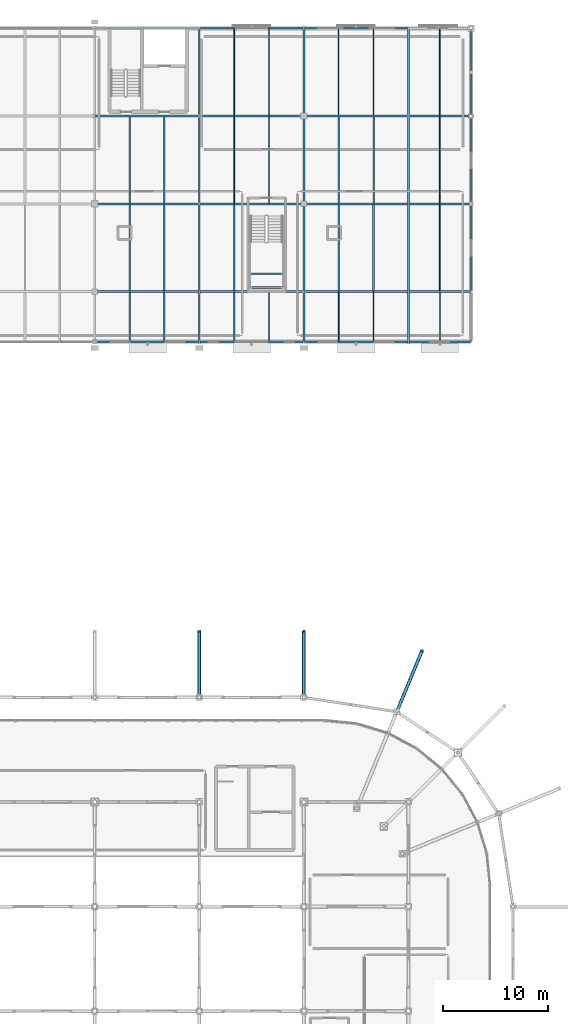
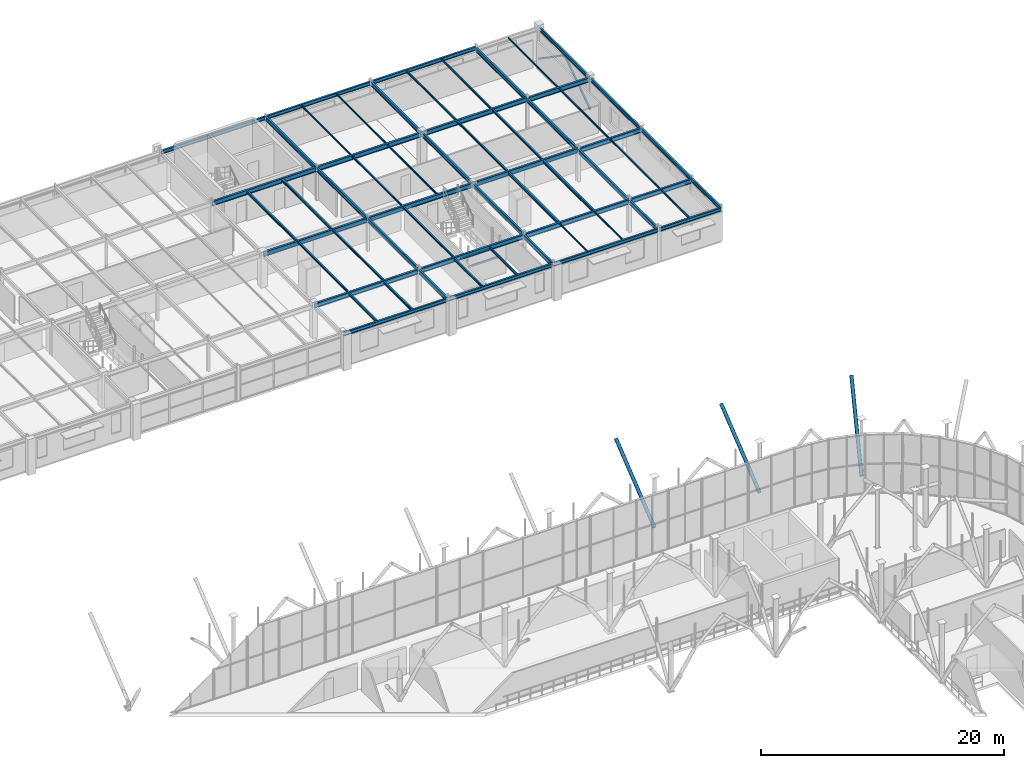
# One storey, part 84 of 109: 62 beams, 5 members.
"""IFC4 building model written with IfcOpenShell, lengths in metres."""

from ifc_helpers import new_model, si_unit, derived_unit, direction, frame, origin, origin_2d_with_axis, place, context, subcontext, project, spatial, hollow_rectangle, hollow_circle, i_section, extrude, material, material_profile, profile_set, type_object, element, save


model = new_model("IFC4")

# Units and contexts
model_context = context("Model", 3, precision=1e-05, world=origin(), true_north=direction((0.0, 1.0)))
body_context = subcontext(model_context, "Body", "Model", "MODEL_VIEW")
ifc_project = project(units=[si_unit("LENGTHUNIT", "METRE"), si_unit("AREAUNIT", "SQUARE_METRE"), si_unit("VOLUMEUNIT", "CUBIC_METRE"), si_unit("PLANEANGLEUNIT", "RADIAN"), si_unit("MASSUNIT", "GRAM", prefix="KILO"), derived_unit("THERMALTRANSMITTANCEUNIT", [(si_unit("POWERUNIT", "WATT"), 1), (si_unit("LENGTHUNIT", "METRE"), -2), (si_unit("THERMODYNAMICTEMPERATUREUNIT", "KELVIN"), -1)])], contexts=[model_context])

# Site, building, storey
site_placement = place(None, origin())
site = spatial("IfcSite", under=ifc_project, at=site_placement, CompositionType="ELEMENT")
building_placement = place(site_placement, origin())
building = spatial("IfcBuilding", under=site, at=building_placement, Name="Cinnabar Yard Market Hall", CompositionType="ELEMENT")
storey_placement = place(building_placement, frame((0.0, 0.0, 8.39990234375)))
storey = spatial("IfcBuildingStorey", under=building, at=storey_placement, Name="L02", CompositionType="ELEMENT", Elevation=8.39990234375)

# Beams
ifc_material_1 = material(Name="Steel Grade 300 (300 MPa)", Category="steel")
ifc_material_profile_1 = material_profile(ifc_material_1, i_section(OverallWidth=0.18994140625, OverallDepth=0.453857421875, WebThickness=0.008544921875, FlangeThickness=0.0126953125, FilletRadius=0.011474609375, at=origin_2d_with_axis()), Name="460UB67.1")
ifc_profile_set_1 = profile_set([ifc_material_profile_1], Name="Steel Grade 300 (300 MPa)")
beam_type_1 = type_object("IfcBeamType", Name="BM-B05", PredefinedType="BEAM", material=ifc_profile_set_1)
for number, where, z_axis, x_axis, name in (
    (1, (126.06005859375, 112.800048828125, 3.05322265625), (1.0, 0.0, 0.0), (0.0, 1.0, 0.0), "V3 L02 Girder X 01218"),
    (2, (126.06005859375, 121.199951171875, 3.13330078125), (1.0, 0.0, 0.0), (0.0, 1.0, 0.0), "V3 L02 Girder X 01219"),
    (3, (126.06005859375, 129.60009765625, 3.13330078125), (1.0, 0.0, 0.0), (0.0, 1.0, 0.0), "V3 L02 Girder X 01220"),
    (4, (136.06005859375, 112.800048828125, 3.05322265625), (1.0, 0.0, 0.0), (0.0, 1.0, 0.0), "V3 L02 Girder X 01223"),
    (5, (136.06005859375, 121.199951171875, 3.13330078125), (1.0, 0.0, 0.0), (0.0, 1.0, 0.0), "V3 L02 Girder X 01224"),
    (6, (136.06005859375, 129.60009765625, 3.13330078125), (1.0, 0.0, 0.0), (0.0, 1.0, 0.0), "V3 L02 Girder X 01225"),
    (7, (146.06005859375, 112.800048828125, 3.05322265625), (1.0, 0.0, 0.0), (0.0, 1.0, 0.0), "V3 L02 Girder X 01228"),
    (8, (146.06005859375, 121.199951171875, 3.13330078125), (1.0, 0.0, 0.0), (0.0, 1.0, 0.0), "V3 L02 Girder X 01229"),
    (9, (146.06005859375, 129.60009765625, 3.13330078125), (1.0, 0.0, 0.0), (0.0, 1.0, 0.0), "V3 L02 Girder X 01230"),
):
    element("IfcBeam", number, at=place(storey_placement, frame(where, z_axis=z_axis, x_axis=x_axis)), inside=storey, type_object=beam_type_1, Name=name, PredefinedType="BEAM", context=body_context, shape_type="SweptSolid", body=[
        extrude(i_section(OverallWidth=0.18994140625, OverallDepth=0.453857421875, WebThickness=0.008544921875, FlangeThickness=0.0126953125, FilletRadius=0.011474609375, at=origin_2d_with_axis()), origin(), (0.0, 0.0, 1.0), 9.8798828125),
    ])
for number, where, z_axis, x_axis, name in (
    (10, (156.06005859375, 112.800048828125, 3.05322265625), (1.0, 0.0, 0.0), (0.0, 1.0, 0.0), "V3 L02 Girder X 01233"),
    (11, (156.06005859375, 121.199951171875, 3.05322265625), (1.0, 0.0, 0.0), (0.0, 1.0, 0.0), "V3 L02 Girder X 01234"),
    (12, (156.06005859375, 129.60009765625, 3.05322265625), (1.0, 0.0, 0.0), (0.0, 1.0, 0.0), "V3 L02 Girder X 01235"),
):
    element("IfcBeam", number, at=place(storey_placement, frame(where, z_axis=z_axis, x_axis=x_axis)), inside=storey, type_object=beam_type_1, Name=name, PredefinedType="BEAM", context=body_context, shape_type="SweptSolid", body=[
        extrude(i_section(OverallWidth=0.18994140625, OverallDepth=0.453857421875, WebThickness=0.008544921875, FlangeThickness=0.0126953125, FilletRadius=0.011474609375, at=origin_2d_with_axis()), origin(), (0.0, 0.0, 1.0), 5.8798828125),
    ])
ifc_material_profile_2 = material_profile(ifc_material_1, i_section(OverallWidth=0.177978515625, OverallDepth=0.406494140625, WebThickness=0.0078125, FlangeThickness=0.0126953125, FilletRadius=0.011474609375, at=origin_2d_with_axis()), Name="410UB59.7")
ifc_profile_set_2 = profile_set([ifc_material_profile_2], Name="Steel Grade 300 (300 MPa)")
beam_type_2 = type_object("IfcBeamType", Name="BM-B06", PredefinedType="BEAM", material=ifc_profile_set_2)
beam_1_placement = place(storey_placement, frame((136.0, 108.06005859375, 3.076904296875), z_axis=(0.0, 1.0, 0.0), x_axis=(-1.0, 0.0, 0.0)))
element("IfcBeam", 13, at=beam_1_placement, inside=storey, type_object=beam_type_2, Name="V3 L02 Girder Y 01265", PredefinedType="BEAM", context=body_context, shape_type="SweptSolid", body=[
    extrude(i_section(OverallWidth=0.177978515625, OverallDepth=0.406494140625, WebThickness=0.0078125, FlangeThickness=0.0126953125, FilletRadius=0.011474609375, at=origin_2d_with_axis()), origin(), (0.0, 0.0, 1.0), 4.679931640625),
])
beam_2_placement = place(storey_placement, frame((136.0, 112.860107421875, 3.156982421875), z_axis=(0.0, 1.0, 0.0), x_axis=(-1.0, 0.0, 0.0)))
element("IfcBeam", 14, at=beam_2_placement, inside=storey, type_object=beam_type_2, Name="V3 L02 Girder Y 01266", PredefinedType="BEAM", context=body_context, shape_type="SweptSolid", body=[
    extrude(i_section(OverallWidth=0.177978515625, OverallDepth=0.406494140625, WebThickness=0.0078125, FlangeThickness=0.0126953125, FilletRadius=0.011474609375, at=origin_2d_with_axis()), origin(), (0.0, 0.0, 1.0), 8.27978515625),
])
for number, where, z_axis, x_axis, name in (
    (15, (136.0, 121.260009765625, 3.156982421875), (0.0, 1.0, 0.0), (-1.0, 0.0, 0.0), "V3 L02 Girder Y 01267"),
    (16, (136.0, 129.659912109375, 3.156982421875), (0.0, 1.0, 0.0), (-1.0, 0.0, 0.0), "V3 L02 Girder Y 01268"),
):
    element("IfcBeam", number, at=place(storey_placement, frame(where, z_axis=z_axis, x_axis=x_axis)), inside=storey, type_object=beam_type_2, Name=name, PredefinedType="BEAM", context=body_context, shape_type="SweptSolid", body=[
        extrude(i_section(OverallWidth=0.177978515625, OverallDepth=0.406494140625, WebThickness=0.0078125, FlangeThickness=0.0126953125, FilletRadius=0.011474609375, at=origin_2d_with_axis()), origin(), (0.0, 0.0, 1.0), 8.280029296875),
    ])
beam_3_placement = place(storey_placement, frame((146.0, 108.06005859375, 3.076904296875), z_axis=(0.0, 1.0, 0.0), x_axis=(-1.0, 0.0, 0.0)))
element("IfcBeam", 17, at=beam_3_placement, inside=storey, type_object=beam_type_2, Name="V3 L02 Girder Y 01269", PredefinedType="BEAM", context=body_context, shape_type="SweptSolid", body=[
    extrude(i_section(OverallWidth=0.177978515625, OverallDepth=0.406494140625, WebThickness=0.0078125, FlangeThickness=0.0126953125, FilletRadius=0.011474609375, at=origin_2d_with_axis()), origin(), (0.0, 0.0, 1.0), 4.679931640625),
])
beam_4_placement = place(storey_placement, frame((146.0, 112.860107421875, 3.156982421875), z_axis=(0.0, 1.0, 0.0), x_axis=(-1.0, 0.0, 0.0)))
element("IfcBeam", 18, at=beam_4_placement, inside=storey, type_object=beam_type_2, Name="V3 L02 Girder Y 01270", PredefinedType="BEAM", context=body_context, shape_type="SweptSolid", body=[
    extrude(i_section(OverallWidth=0.177978515625, OverallDepth=0.406494140625, WebThickness=0.0078125, FlangeThickness=0.0126953125, FilletRadius=0.011474609375, at=origin_2d_with_axis()), origin(), (0.0, 0.0, 1.0), 8.27978515625),
])
for number, where, z_axis, x_axis, name in (
    (19, (146.0, 121.260009765625, 3.156982421875), (0.0, 1.0, 0.0), (-1.0, 0.0, 0.0), "V3 L02 Girder Y 01271"),
    (20, (146.0, 129.659912109375, 3.156982421875), (0.0, 1.0, 0.0), (-1.0, 0.0, 0.0), "V3 L02 Girder Y 01272"),
):
    element("IfcBeam", number, at=place(storey_placement, frame(where, z_axis=z_axis, x_axis=x_axis)), inside=storey, type_object=beam_type_2, Name=name, PredefinedType="BEAM", context=body_context, shape_type="SweptSolid", body=[
        extrude(i_section(OverallWidth=0.177978515625, OverallDepth=0.406494140625, WebThickness=0.0078125, FlangeThickness=0.0126953125, FilletRadius=0.011474609375, at=origin_2d_with_axis()), origin(), (0.0, 0.0, 1.0), 8.280029296875),
    ])
beam_5_placement = place(storey_placement, frame((156.0, 108.06005859375, 3.076904296875), z_axis=(0.0, 1.0, 0.0), x_axis=(-1.0, 0.0, 0.0)))
element("IfcBeam", 21, at=beam_5_placement, inside=storey, type_object=beam_type_2, Name="V3 L02 Girder Y 01273", PredefinedType="BEAM", context=body_context, shape_type="SweptSolid", body=[
    extrude(i_section(OverallWidth=0.177978515625, OverallDepth=0.406494140625, WebThickness=0.0078125, FlangeThickness=0.0126953125, FilletRadius=0.011474609375, at=origin_2d_with_axis()), origin(), (0.0, 0.0, 1.0), 4.679931640625),
])
beam_6_placement = place(storey_placement, frame((156.0, 112.860107421875, 3.076904296875), z_axis=(0.0, 1.0, 0.0), x_axis=(-1.0, 0.0, 0.0)))
element("IfcBeam", 22, at=beam_6_placement, inside=storey, type_object=beam_type_2, Name="V3 L02 Girder Y 01274", PredefinedType="BEAM", context=body_context, shape_type="SweptSolid", body=[
    extrude(i_section(OverallWidth=0.177978515625, OverallDepth=0.406494140625, WebThickness=0.0078125, FlangeThickness=0.0126953125, FilletRadius=0.011474609375, at=origin_2d_with_axis()), origin(), (0.0, 0.0, 1.0), 8.27978515625),
])
for number, where, z_axis, x_axis, name in (
    (23, (156.0, 121.260009765625, 3.076904296875), (0.0, 1.0, 0.0), (-1.0, 0.0, 0.0), "V3 L02 Girder Y 01275"),
    (24, (156.0, 129.659912109375, 3.076904296875), (0.0, 1.0, 0.0), (-1.0, 0.0, 0.0), "V3 L02 Girder Y 01276"),
):
    element("IfcBeam", number, at=place(storey_placement, frame(where, z_axis=z_axis, x_axis=x_axis)), inside=storey, type_object=beam_type_2, Name=name, PredefinedType="BEAM", context=body_context, shape_type="SweptSolid", body=[
        extrude(i_section(OverallWidth=0.177978515625, OverallDepth=0.406494140625, WebThickness=0.0078125, FlangeThickness=0.0126953125, FilletRadius=0.011474609375, at=origin_2d_with_axis()), origin(), (0.0, 0.0, 1.0), 8.280029296875),
    ])
ifc_material_profile_3 = material_profile(ifc_material_1, i_section(OverallWidth=0.14599609375, OverallDepth=0.256103515625, WebThickness=0.00634765625, FlangeThickness=0.010986328125, FilletRadius=0.0087890625, at=origin_2d_with_axis()), Name="250UB37.3")
ifc_profile_set_3 = profile_set([ifc_material_profile_3], Name="Steel Grade 300 (300 MPa)")
beam_type_3 = type_object("IfcBeamType", Name="BM-J03", PredefinedType="JOIST", material=ifc_profile_set_3)
for number, where, z_axis, x_axis, name in (
    (25, (129.333251953125, 108.074951171875, 3.152099609375), (0.0, 1.0, 0.0), (-1.0, 0.0, 0.0), "V3 L02 Joist 01326"),
    (26, (132.666748046875, 108.074951171875, 3.152099609375), (0.0, 1.0, 0.0), (-1.0, 0.0, 0.0), "V3 L02 Joist 01329"),
):
    element("IfcBeam", number, at=place(storey_placement, frame(where, z_axis=z_axis, x_axis=x_axis)), inside=storey, type_object=beam_type_3, Name=name, PredefinedType="JOIST", context=body_context, shape_type="SweptSolid", body=[
        extrude(i_section(OverallWidth=0.14599609375, OverallDepth=0.256103515625, WebThickness=0.00634765625, FlangeThickness=0.010986328125, FilletRadius=0.0087890625, at=origin_2d_with_axis()), origin(), (0.0, 0.0, 1.0), 4.650146484375),
    ])
ifc_material_profile_4 = material_profile(ifc_material_1, i_section(OverallWidth=0.134033203125, OverallDepth=0.20703125, WebThickness=0.00634765625, FlangeThickness=0.009521484375, FilletRadius=0.0087890625, at=origin_2d_with_axis()), Name="200UB29.8")
ifc_profile_set_4 = profile_set([ifc_material_profile_4], Name="Steel Grade 300 (300 MPa)")
beam_type_4 = type_object("IfcBeamType", Name="BM-J04", PredefinedType="JOIST", material=ifc_profile_set_4)
for number, where, z_axis, x_axis, name in (
    (27, (129.333251953125, 112.875, 3.256591796875), (0.0, 1.0, 0.0), (-1.0, 0.0, 0.0), "V3 L02 Joist 01327"),
    (28, (132.666748046875, 112.875, 3.256591796875), (0.0, 1.0, 0.0), (-1.0, 0.0, 0.0), "V3 L02 Joist 01330"),
):
    element("IfcBeam", number, at=place(storey_placement, frame(where, z_axis=z_axis, x_axis=x_axis)), inside=storey, type_object=beam_type_4, Name=name, PredefinedType="JOIST", context=body_context, shape_type="SweptSolid", body=[
        extrude(i_section(OverallWidth=0.134033203125, OverallDepth=0.20703125, WebThickness=0.00634765625, FlangeThickness=0.009521484375, FilletRadius=0.0087890625, at=origin_2d_with_axis()), origin(), (0.0, 0.0, 1.0), 8.25),
    ])
ifc_material_profile_5 = material_profile(ifc_material_1, i_section(OverallWidth=0.14599609375, OverallDepth=0.251708984375, WebThickness=0.006103515625, FlangeThickness=0.008544921875, FilletRadius=0.0087890625, at=origin_2d_with_axis()), Name="250UB31.4")
ifc_profile_set_5 = profile_set([ifc_material_profile_5], Name="Steel Grade 300 (300 MPa)")
beam_type_5 = type_object("IfcBeamType", Name="BM-J05", PredefinedType="JOIST", material=ifc_profile_set_5)
for number, where, z_axis, x_axis, name in (
    (29, (129.333251953125, 121.27490234375, 3.234375), (0.0, 1.0, 0.0), (-1.0, 0.0, 0.0), "V3 L02 Joist 01328"),
    (30, (132.666748046875, 121.27490234375, 3.234375), (0.0, 1.0, 0.0), (-1.0, 0.0, 0.0), "V3 L02 Joist 01331"),
):
    element("IfcBeam", number, at=place(storey_placement, frame(where, z_axis=z_axis, x_axis=x_axis)), inside=storey, type_object=beam_type_5, Name=name, PredefinedType="JOIST", context=body_context, shape_type="SweptSolid", body=[
        extrude(i_section(OverallWidth=0.14599609375, OverallDepth=0.251708984375, WebThickness=0.006103515625, FlangeThickness=0.008544921875, FilletRadius=0.0087890625, at=origin_2d_with_axis()), origin(), (0.0, 0.0, 1.0), 8.25),
    ])
ifc_material_profile_6 = material_profile(ifc_material_1, i_section(OverallWidth=0.1240234375, OverallDepth=0.248291015625, WebThickness=0.0048828125, FlangeThickness=0.008056640625, FilletRadius=0.0087890625, at=origin_2d_with_axis()), Name="250UB25.7")
ifc_profile_set_6 = profile_set([ifc_material_profile_6], Name="Steel Grade 300 (300 MPa)")
beam_type_6 = type_object("IfcBeamType", Name="BM-J06", PredefinedType="JOIST", material=ifc_profile_set_6)
for number, where, z_axis, x_axis, name in (
    (31, (139.333251953125, 108.074951171875, 3.156005859375), (0.0, 1.0, 0.0), (-1.0, 0.0, 0.0), "V3 L02 Joist 01332"),
    (32, (142.666748046875, 108.074951171875, 3.156005859375), (0.0, 1.0, 0.0), (-1.0, 0.0, 0.0), "V3 L02 Joist 01336"),
):
    element("IfcBeam", number, at=place(storey_placement, frame(where, z_axis=z_axis, x_axis=x_axis)), inside=storey, type_object=beam_type_6, Name=name, PredefinedType="JOIST", context=body_context, shape_type="SweptSolid", body=[
        extrude(i_section(OverallWidth=0.1240234375, OverallDepth=0.248291015625, WebThickness=0.0048828125, FlangeThickness=0.008056640625, FilletRadius=0.0087890625, at=origin_2d_with_axis()), origin(), (0.0, 0.0, 1.0), 4.650146484375),
    ])
ifc_material_profile_7 = material_profile(ifc_material_1, i_section(OverallWidth=0.133056640625, OverallDepth=0.203125, WebThickness=0.005859375, FlangeThickness=0.0078125, FilletRadius=0.0087890625, at=origin_2d_with_axis()), Name="200UB25.4")
ifc_profile_set_7 = profile_set([ifc_material_profile_7], Name="Steel Grade 300 (300 MPa)")
beam_type_7 = type_object("IfcBeamType", Name="BM-J07", PredefinedType="JOIST", material=ifc_profile_set_7)
beam_7_placement = place(storey_placement, frame((139.333251953125, 112.875, 3.258544921875), z_axis=(0.0, 1.0, 0.0), x_axis=(-1.0, 0.0, 0.0)))
element("IfcBeam", 33, at=beam_7_placement, inside=storey, type_object=beam_type_7, Name="V3 L02 Joist 01333", PredefinedType="JOIST", context=body_context, shape_type="SweptSolid", body=[
    extrude(i_section(OverallWidth=0.133056640625, OverallDepth=0.203125, WebThickness=0.005859375, FlangeThickness=0.0078125, FilletRadius=0.0087890625, at=origin_2d_with_axis()), origin(), (0.0, 0.0, 1.0), 8.25),
])
ifc_material_profile_8 = material_profile(ifc_material_1, i_section(OverallWidth=0.090087890625, OverallDepth=0.178955078125, WebThickness=0.006103515625, FlangeThickness=0.009521484375, FilletRadius=0.0087890625, at=origin_2d_with_axis()), Name="180UB22.2")
ifc_profile_set_8 = profile_set([ifc_material_profile_8], Name="Steel Grade 300 (300 MPa)")
beam_type_8 = type_object("IfcBeamType", Name="BM-J08", PredefinedType="JOIST", material=ifc_profile_set_8)
for number, where, z_axis, x_axis, name in (
    (34, (139.333251953125, 121.27490234375, 3.2705078125), (0.0, 1.0, 0.0), (-1.0, 0.0, 0.0), "V3 L02 Joist 01334"),
    (35, (142.666748046875, 121.27490234375, 3.2705078125), (0.0, 1.0, 0.0), (-1.0, 0.0, 0.0), "V3 L02 Joist 01337"),
):
    element("IfcBeam", number, at=place(storey_placement, frame(where, z_axis=z_axis, x_axis=x_axis)), inside=storey, type_object=beam_type_8, Name=name, PredefinedType="JOIST", context=body_context, shape_type="SweptSolid", body=[
        extrude(i_section(OverallWidth=0.090087890625, OverallDepth=0.178955078125, WebThickness=0.006103515625, FlangeThickness=0.009521484375, FilletRadius=0.0087890625, at=origin_2d_with_axis()), origin(), (0.0, 0.0, 1.0), 8.25),
    ])
ifc_material_profile_9 = material_profile(ifc_material_1, i_section(OverallWidth=0.074951171875, OverallDepth=0.155029296875, WebThickness=0.006103515625, FlangeThickness=0.009521484375, FilletRadius=0.008056640625, at=origin_2d_with_axis()), Name="150UB18.0")
ifc_profile_set_9 = profile_set([ifc_material_profile_9], Name="Steel Grade 300 (300 MPa)")
beam_type_9 = type_object("IfcBeamType", Name="BM-J09", PredefinedType="JOIST", material=ifc_profile_set_9)
for number, where, z_axis, x_axis, name in (
    (36, (139.333251953125, 129.675048828125, 3.28271484375), (0.0, 1.0, 0.0), (-1.0, 0.0, 0.0), "V3 L02 Joist 01335"),
    (37, (142.666748046875, 129.675048828125, 3.28271484375), (0.0, 1.0, 0.0), (-1.0, 0.0, 0.0), "V3 L02 Joist 01338"),
):
    element("IfcBeam", number, at=place(storey_placement, frame(where, z_axis=z_axis, x_axis=x_axis)), inside=storey, type_object=beam_type_9, Name=name, PredefinedType="JOIST", context=body_context, shape_type="SweptSolid", body=[
        extrude(i_section(OverallWidth=0.074951171875, OverallDepth=0.155029296875, WebThickness=0.006103515625, FlangeThickness=0.009521484375, FilletRadius=0.008056640625, at=origin_2d_with_axis()), origin(), (0.0, 0.0, 1.0), 8.25),
    ])
for number, where, z_axis, x_axis, name in (
    (38, (149.333251953125, 108.074951171875, 3.20263671875), (0.0, 1.0, 0.0), (-1.0, 0.0, 0.0), "V3 L02 Joist 01339"),
    (39, (152.666748046875, 108.074951171875, 3.20263671875), (0.0, 1.0, 0.0), (-1.0, 0.0, 0.0), "V3 L02 Joist 01343"),
):
    element("IfcBeam", number, at=place(storey_placement, frame(where, z_axis=z_axis, x_axis=x_axis)), inside=storey, type_object=beam_type_9, Name=name, PredefinedType="JOIST", context=body_context, shape_type="SweptSolid", body=[
        extrude(i_section(OverallWidth=0.074951171875, OverallDepth=0.155029296875, WebThickness=0.006103515625, FlangeThickness=0.009521484375, FilletRadius=0.008056640625, at=origin_2d_with_axis()), origin(), (0.0, 0.0, 1.0), 4.650146484375),
    ])
ifc_material_profile_10 = material_profile(ifc_material_1, i_section(OverallWidth=0.1650390625, OverallDepth=0.303955078125, WebThickness=0.006103515625, FlangeThickness=0.01025390625, FilletRadius=0.011474609375, at=origin_2d_with_axis()), Name="310UB40.4")
ifc_profile_set_10 = profile_set([ifc_material_profile_10], Name="Steel Grade 300 (300 MPa)")
beam_type_10 = type_object("IfcBeamType", Name="BM-J10", PredefinedType="JOIST", material=ifc_profile_set_10)
for number, where, z_axis, x_axis, name in (
    (40, (149.333251953125, 112.875, 3.2080078125), (0.0, 1.0, 0.0), (-1.0, 0.0, 0.0), "V3 L02 Joist 01340"),
    (41, (152.666748046875, 112.875, 3.2080078125), (0.0, 1.0, 0.0), (-1.0, 0.0, 0.0), "V3 L02 Joist 01344"),
):
    element("IfcBeam", number, at=place(storey_placement, frame(where, z_axis=z_axis, x_axis=x_axis)), inside=storey, type_object=beam_type_10, Name=name, PredefinedType="JOIST", context=body_context, shape_type="SweptSolid", body=[
        extrude(i_section(OverallWidth=0.1650390625, OverallDepth=0.303955078125, WebThickness=0.006103515625, FlangeThickness=0.01025390625, FilletRadius=0.011474609375, at=origin_2d_with_axis()), origin(), (0.0, 0.0, 1.0), 8.25),
    ])
ifc_material_profile_11 = material_profile(ifc_material_1, i_section(OverallWidth=0.133056640625, OverallDepth=0.20166015625, WebThickness=0.0048828125, FlangeThickness=0.0078125, FilletRadius=0.0087890625, at=origin_2d_with_axis()), Name="200UB22.3")
ifc_profile_set_11 = profile_set([ifc_material_profile_11], Name="Steel Grade 300 (300 MPa)")
beam_type_11 = type_object("IfcBeamType", Name="BM-J11", PredefinedType="JOIST", material=ifc_profile_set_11)
for number, where, z_axis, x_axis, name in (
    (42, (149.333251953125, 121.27490234375, 3.25927734375), (0.0, 1.0, 0.0), (-1.0, 0.0, 0.0), "V3 L02 Joist 01341"),
    (43, (152.666748046875, 121.27490234375, 3.25927734375), (0.0, 1.0, 0.0), (-1.0, 0.0, 0.0), "V3 L02 Joist 01345"),
):
    element("IfcBeam", number, at=place(storey_placement, frame(where, z_axis=z_axis, x_axis=x_axis)), inside=storey, type_object=beam_type_11, Name=name, PredefinedType="JOIST", context=body_context, shape_type="SweptSolid", body=[
        extrude(i_section(OverallWidth=0.133056640625, OverallDepth=0.20166015625, WebThickness=0.0048828125, FlangeThickness=0.0078125, FilletRadius=0.0087890625, at=origin_2d_with_axis()), origin(), (0.0, 0.0, 1.0), 8.25),
    ])
ifc_material_profile_12 = material_profile(ifc_material_1, i_section(OverallWidth=0.09912109375, OverallDepth=0.197998046875, WebThickness=0.00439453125, FlangeThickness=0.007080078125, FilletRadius=0.0087890625, at=origin_2d_with_axis()), Name="200UB18.2")
ifc_profile_set_12 = profile_set([ifc_material_profile_12], Name="Steel Grade 300 (300 MPa)")
beam_type_12 = type_object("IfcBeamType", Name="BM-J12", PredefinedType="JOIST", material=ifc_profile_set_12)
for number, where, z_axis, x_axis, name in (
    (44, (149.333251953125, 129.675048828125, 3.260986328125), (0.0, 1.0, 0.0), (-1.0, 0.0, 0.0), "V3 L02 Joist 01342"),
    (45, (152.666748046875, 129.675048828125, 3.260986328125), (0.0, 1.0, 0.0), (-1.0, 0.0, 0.0), "V3 L02 Joist 01346"),
):
    element("IfcBeam", number, at=place(storey_placement, frame(where, z_axis=z_axis, x_axis=x_axis)), inside=storey, type_object=beam_type_12, Name=name, PredefinedType="JOIST", context=body_context, shape_type="SweptSolid", body=[
        extrude(i_section(OverallWidth=0.09912109375, OverallDepth=0.197998046875, WebThickness=0.00439453125, FlangeThickness=0.007080078125, FilletRadius=0.0087890625, at=origin_2d_with_axis()), origin(), (0.0, 0.0, 1.0), 8.25),
    ])
beam_8_placement = place(storey_placement, frame((159.0, 108.074951171875, 3.18115234375), z_axis=(0.0, 1.0, 0.0), x_axis=(-1.0, 0.0, 0.0)))
element("IfcBeam", 46, at=beam_8_placement, inside=storey, type_object=beam_type_12, Name="V3 L02 Joist 01347", PredefinedType="JOIST", context=body_context, shape_type="SweptSolid", body=[
    extrude(i_section(OverallWidth=0.09912109375, OverallDepth=0.197998046875, WebThickness=0.00439453125, FlangeThickness=0.007080078125, FilletRadius=0.0087890625, at=origin_2d_with_axis()), origin(), (0.0, 0.0, 1.0), 4.650146484375),
])
ifc_material_profile_13 = material_profile(ifc_material_1, i_section(OverallWidth=0.090087890625, OverallDepth=0.175048828125, WebThickness=0.0048828125, FlangeThickness=0.008056640625, FilletRadius=0.0087890625, at=origin_2d_with_axis()), Name="180UB18.1")
ifc_profile_set_13 = profile_set([ifc_material_profile_13], Name="Steel Grade 300 (300 MPa)")
beam_type_13 = type_object("IfcBeamType", Name="BM-J13", PredefinedType="JOIST", material=ifc_profile_set_13)
beam_9_placement = place(storey_placement, frame((159.0, 112.875, 3.192626953125), z_axis=(0.0, 1.0, 0.0), x_axis=(-1.0, 0.0, 0.0)))
element("IfcBeam", 47, at=beam_9_placement, inside=storey, type_object=beam_type_13, Name="V3 L02 Joist 01348", PredefinedType="JOIST", context=body_context, shape_type="SweptSolid", body=[
    extrude(i_section(OverallWidth=0.090087890625, OverallDepth=0.175048828125, WebThickness=0.0048828125, FlangeThickness=0.008056640625, FilletRadius=0.0087890625, at=origin_2d_with_axis()), origin(), (0.0, 0.0, 1.0), 8.25),
])
ifc_material_profile_14 = material_profile(ifc_material_1, i_section(OverallWidth=0.090087890625, OverallDepth=0.173095703125, WebThickness=0.00439453125, FlangeThickness=0.007080078125, FilletRadius=0.0087890625, at=origin_2d_with_axis()), Name="180UB16.1")
ifc_profile_set_14 = profile_set([ifc_material_profile_14], Name="Steel Grade 300 (300 MPa)")
beam_type_14 = type_object("IfcBeamType", Name="BM-J14", PredefinedType="JOIST", material=ifc_profile_set_14)
beam_10_placement = place(storey_placement, frame((159.0, 121.27490234375, 3.193603515625), z_axis=(0.0, 1.0, 0.0), x_axis=(-1.0, 0.0, 0.0)))
element("IfcBeam", 48, at=beam_10_placement, inside=storey, type_object=beam_type_14, Name="V3 L02 Joist 01349", PredefinedType="JOIST", context=body_context, shape_type="SweptSolid", body=[
    extrude(i_section(OverallWidth=0.090087890625, OverallDepth=0.173095703125, WebThickness=0.00439453125, FlangeThickness=0.007080078125, FilletRadius=0.0087890625, at=origin_2d_with_axis()), origin(), (0.0, 0.0, 1.0), 8.25),
])
ifc_material_profile_15 = material_profile(ifc_material_1, i_section(OverallWidth=0.074951171875, OverallDepth=0.14990234375, WebThickness=0.0048828125, FlangeThickness=0.007080078125, FilletRadius=0.008056640625, at=origin_2d_with_axis()), Name="150UB14.0")
ifc_profile_set_15 = profile_set([ifc_material_profile_15], Name="Steel Grade 300 (300 MPa)")
beam_type_15 = type_object("IfcBeamType", Name="BM-J15", PredefinedType="JOIST", material=ifc_profile_set_15)
beam_11_placement = place(storey_placement, frame((159.0, 129.675048828125, 3.205078125), z_axis=(0.0, 1.0, 0.0), x_axis=(-1.0, 0.0, 0.0)))
element("IfcBeam", 49, at=beam_11_placement, inside=storey, type_object=beam_type_15, Name="V3 L02 Joist 01350", PredefinedType="JOIST", context=body_context, shape_type="SweptSolid", body=[
    extrude(i_section(OverallWidth=0.074951171875, OverallDepth=0.14990234375, WebThickness=0.0048828125, FlangeThickness=0.007080078125, FilletRadius=0.008056640625, at=origin_2d_with_axis()), origin(), (0.0, 0.0, 1.0), 8.25),
])
ifc_material_2 = material(Name="Cold-formed steel C350L0", Category="steel")
ifc_material_profile_16 = material_profile(ifc_material_2, hollow_rectangle(XDim=0.10009765625, YDim=0.199951171875, WallThickness=0.006103515625, InnerFilletRadius=0.006103515625, OuterFilletRadius=0.011962890625, at=origin_2d_with_axis()), Name="200x100x6.0RHS")
ifc_profile_set_16 = profile_set([ifc_material_profile_16], Name="Cold-formed steel C350L0")
beam_type_16 = type_object("IfcBeamType", Name="BM-LN01", PredefinedType="LINTEL", material=ifc_profile_set_16)
for number, where, z_axis, x_axis, name in (
    (50, (140.949951171875, 113.199951171875, 1.5), (1.0, 0.0, 0.0), (0.0, 1.0, 0.0), "Feature Stair Landing Beam S ST-F6 L02"),
    (51, (140.949951171875, 114.5, 1.5), (1.0, 0.0, 0.0), (0.0, 1.0, 0.0), "Feature Stair Landing Beam N ST-F6 L02"),
):
    element("IfcBeam", number, at=place(storey_placement, frame(where, z_axis=z_axis, x_axis=x_axis)), inside=storey, type_object=beam_type_16, Name=name, PredefinedType="LINTEL", context=body_context, shape_type="SweptSolid", body=[
        extrude(hollow_rectangle(XDim=0.10009765625, YDim=0.199951171875, WallThickness=0.006103515625, InnerFilletRadius=0.006103515625, OuterFilletRadius=0.011962890625, at=origin_2d_with_axis()), origin(), (0.0, 0.0, 1.0), 3.0),
    ])
ifc_material_profile_17 = material_profile(ifc_material_1, i_section(OverallWidth=0.172119140625, OverallDepth=0.358642578125, WebThickness=0.008056640625, FlangeThickness=0.012939453125, FilletRadius=0.011474609375, at=origin_2d_with_axis()), Name="360UB56.7")
ifc_profile_set_17 = profile_set([ifc_material_profile_17], Name="Steel Grade 300 (300 MPa)")
beam_type_17 = type_object("IfcBeamType", Name="BM-SP02E", PredefinedType="SPANDREL", material=ifc_profile_set_17)
for number, where, z_axis, x_axis, name in (
    (52, (126.06005859375, 108.0, 3.100830078125), (1.0, 0.0, 0.0), (0.0, 1.0, 0.0), "V3 L02 Girder X 01217"),
    (53, (126.06005859375, 138.0, 3.180908203125), (1.0, 0.0, 0.0), (0.0, 1.0, 0.0), "V3 L02 Girder X 01221"),
    (54, (136.06005859375, 108.0, 3.100830078125), (1.0, 0.0, 0.0), (0.0, 1.0, 0.0), "V3 L02 Girder X 01222"),
    (55, (136.06005859375, 138.0, 3.180908203125), (1.0, 0.0, 0.0), (0.0, 1.0, 0.0), "V3 L02 Girder X 01226"),
    (56, (146.06005859375, 108.0, 3.100830078125), (1.0, 0.0, 0.0), (0.0, 1.0, 0.0), "V3 L02 Girder X 01227"),
    (57, (146.06005859375, 138.0, 3.180908203125), (1.0, 0.0, 0.0), (0.0, 1.0, 0.0), "V3 L02 Girder X 01231"),
):
    element("IfcBeam", number, at=place(storey_placement, frame(where, z_axis=z_axis, x_axis=x_axis)), inside=storey, type_object=beam_type_17, Name=name, PredefinedType="SPANDREL", context=body_context, shape_type="SweptSolid", body=[
        extrude(i_section(OverallWidth=0.172119140625, OverallDepth=0.358642578125, WebThickness=0.008056640625, FlangeThickness=0.012939453125, FilletRadius=0.011474609375, at=origin_2d_with_axis()), origin(), (0.0, 0.0, 1.0), 9.8798828125),
    ])
beam_12_placement = place(storey_placement, frame((156.06005859375, 108.0, 3.100830078125), z_axis=(1.0, 0.0, 0.0), x_axis=(0.0, 1.0, 0.0)))
element("IfcBeam", 58, at=beam_12_placement, inside=storey, type_object=beam_type_17, Name="V3 L02 Girder X 01232", PredefinedType="SPANDREL", context=body_context, shape_type="SweptSolid", body=[
    extrude(i_section(OverallWidth=0.172119140625, OverallDepth=0.358642578125, WebThickness=0.008056640625, FlangeThickness=0.012939453125, FilletRadius=0.011474609375, at=origin_2d_with_axis()), origin(), (0.0, 0.0, 1.0), 5.8798828125),
])
beam_13_placement = place(storey_placement, frame((162.0, 108.06005859375, 3.100830078125), z_axis=(0.0, 1.0, 0.0), x_axis=(-1.0, 0.0, 0.0)))
element("IfcBeam", 59, at=beam_13_placement, inside=storey, type_object=beam_type_17, Name="V3 L02 Girder Y 01277", PredefinedType="SPANDREL", context=body_context, shape_type="SweptSolid", body=[
    extrude(i_section(OverallWidth=0.172119140625, OverallDepth=0.358642578125, WebThickness=0.008056640625, FlangeThickness=0.012939453125, FilletRadius=0.011474609375, at=origin_2d_with_axis()), origin(), (0.0, 0.0, 1.0), 4.679931640625),
])
beam_14_placement = place(storey_placement, frame((162.0, 112.860107421875, 3.100830078125), z_axis=(0.0, 1.0, 0.0), x_axis=(-1.0, 0.0, 0.0)))
element("IfcBeam", 60, at=beam_14_placement, inside=storey, type_object=beam_type_17, Name="V3 L02 Girder Y 01278", PredefinedType="SPANDREL", context=body_context, shape_type="SweptSolid", body=[
    extrude(i_section(OverallWidth=0.172119140625, OverallDepth=0.358642578125, WebThickness=0.008056640625, FlangeThickness=0.012939453125, FilletRadius=0.011474609375, at=origin_2d_with_axis()), origin(), (0.0, 0.0, 1.0), 8.27978515625),
])
for number, where, z_axis, x_axis, name in (
    (61, (162.0, 121.260009765625, 3.100830078125), (0.0, 1.0, 0.0), (-1.0, 0.0, 0.0), "V3 L02 Girder Y 01279"),
    (62, (162.0, 129.659912109375, 3.100830078125), (0.0, 1.0, 0.0), (-1.0, 0.0, 0.0), "V3 L02 Girder Y 01280"),
):
    element("IfcBeam", number, at=place(storey_placement, frame(where, z_axis=z_axis, x_axis=x_axis)), inside=storey, type_object=beam_type_17, Name=name, PredefinedType="SPANDREL", context=body_context, shape_type="SweptSolid", body=[
        extrude(i_section(OverallWidth=0.172119140625, OverallDepth=0.358642578125, WebThickness=0.008056640625, FlangeThickness=0.012939453125, FilletRadius=0.011474609375, at=origin_2d_with_axis()), origin(), (0.0, 0.0, 1.0), 8.280029296875),
    ])

# Members
ifc_material_profile_18 = material_profile(ifc_material_2, hollow_rectangle(XDim=0.14990234375, YDim=0.14990234375, WallThickness=0.006103515625, InnerFilletRadius=0.006103515625, OuterFilletRadius=0.011962890625, at=origin_2d_with_axis()), Name="150x150x6.0SHS")
ifc_profile_set_18 = profile_set([ifc_material_profile_18], Name="Cold-formed steel C350L0")
member_type_1 = type_object("IfcMemberType", Name="MB-BR02E", PredefinedType="BRACE", material=ifc_profile_set_18)
for number, where, z_axis, x_axis, name in (
    (63, (162.0, 129.60009765625, 0.0), (0.0, 0.822880392634, 0.568214624432), (-1.0, 0.0, 0.0), "Chevron Brace CBF-V3-E2 A"),
    (64, (162.0, 138.0, 0.0), (0.0, -0.822880392634, 0.568214624432), (1.0, 0.0, 0.0), "Chevron Brace CBF-V3-E2 B"),
):
    element("IfcMember", number, at=place(storey_placement, frame(where, z_axis=z_axis, x_axis=x_axis)), inside=storey, type_object=member_type_1, Name=name, PredefinedType="BRACE", context=body_context, shape_type="SweptSolid", body=[
        extrude(hollow_rectangle(XDim=0.14990234375, YDim=0.14990234375, WallThickness=0.006103515625, InnerFilletRadius=0.006103515625, OuterFilletRadius=0.011962890625, at=origin_2d_with_axis()), origin(), (0.0, 0.0, 1.0), 5.10400390625),
    ])
ifc_material_3 = material(Name="Spotted-gum glulam-clad steel Grade 350 (350 MPa)", Category="steel")
ifc_material_profile_19 = material_profile(ifc_material_3, hollow_circle(Radius=0.161865234375, WallThickness=0.009521484375, at=origin_2d_with_axis()), Name="323.9x9.5CHS")
ifc_profile_set_19 = profile_set([ifc_material_profile_19], Name="Spotted-gum glulam-clad steel Grade 350 (350 MPa)")
member_type_2 = type_object("IfcMemberType", Name="MB-ST01E", PredefinedType="STRUT", material=ifc_profile_set_19)
member_placement = place(storey_placement, frame((154.88818359375, 72.6298828125, 0.2001953125), z_axis=(0.284586831322, 0.68704037604, 0.668570009145), x_axis=(-0.923876970079, 0.382689618566, 0.0)))
element("IfcMember", 65, at=member_placement, inside=storey, type_object=member_type_2, Name="Corner Chhajja Bracket Arm NE-6", PredefinedType="STRUT", context=body_context, shape_type="SweptSolid", body=[
    extrude(hollow_circle(Radius=0.161865234375, WallThickness=0.009521484375, at=origin_2d_with_axis()), origin(), (0.0, 0.0, 1.0), 8.525634765625),
])
for number, where, z_axis, x_axis, name in (
    (66, (136.0, 74.0, 0.800048828125), (0.0, 0.779185735248, 0.626793099824), (-1.0, 0.0, 0.0), "North Chhajja Bracket Arm 136"),
    (67, (146.0, 74.0, 0.800048828125), (0.0, 0.779185735248, 0.626793099824), (-1.0, 0.0, 0.0), "North Chhajja Bracket Arm 146"),
):
    element("IfcMember", number, at=place(storey_placement, frame(where, z_axis=z_axis, x_axis=x_axis)), inside=storey, type_object=member_type_2, Name=name, PredefinedType="STRUT", context=body_context, shape_type="SweptSolid", body=[
        extrude(hollow_circle(Radius=0.161865234375, WallThickness=0.009521484375, at=origin_2d_with_axis()), origin(), (0.0, 0.0, 1.0), 8.13671875),
    ])

save(model, "model.ifc")
